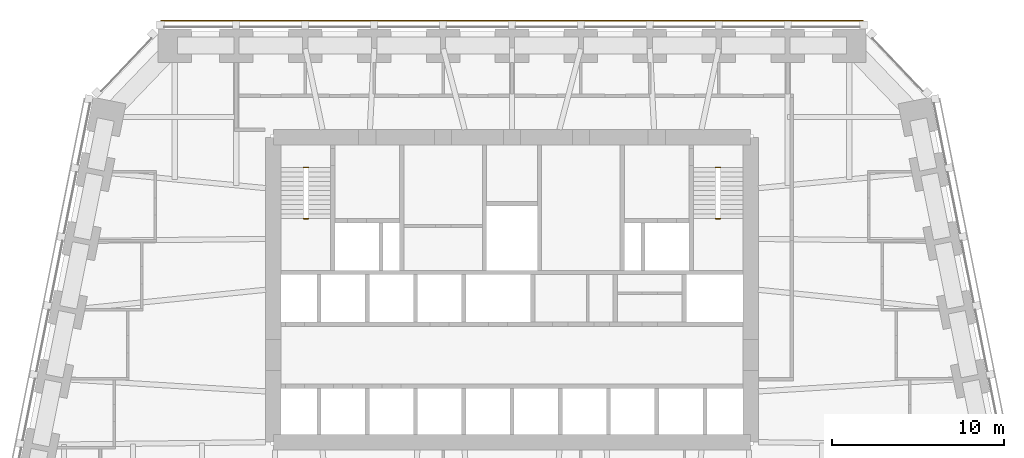
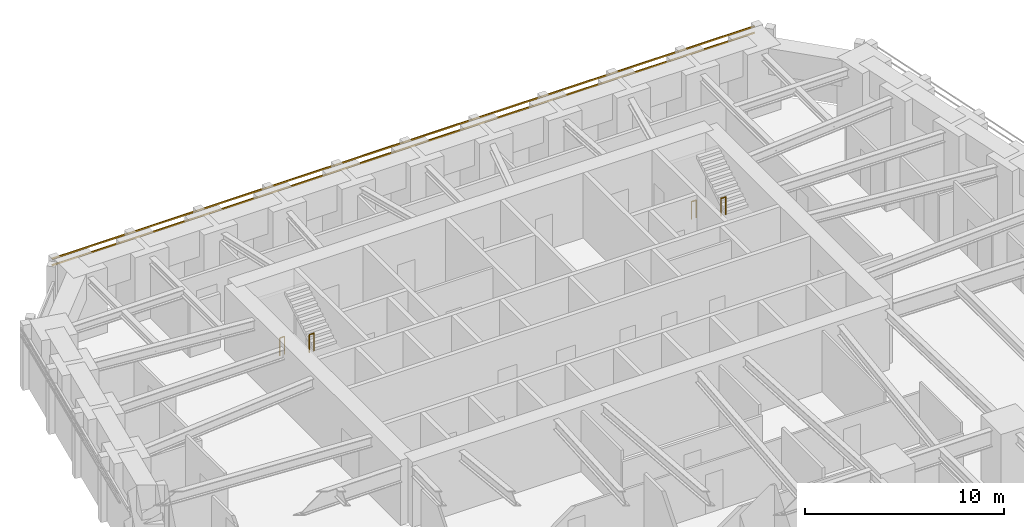
# One storey, part 10 of 10: 4 railings, 2 shading devices.
"""IFC4 building model written with IfcOpenShell, lengths in metres."""

from ifc_helpers import new_model, si_unit, direction, frame, origin, origin_2d, place, context, subcontext, project, spatial, rectangle, circle, extrude, material, material_profile, profile_set, type_object, element, save


model = new_model("IFC4")

# Units and contexts
model_context = context("Model", 3, precision=1e-05, world=origin(), true_north=direction((0.0, 1.0)))
body_context = subcontext(model_context, "Body", "Model", "MODEL_VIEW")
ifc_project = project(units=[si_unit("LENGTHUNIT", "METRE"), si_unit("AREAUNIT", "SQUARE_METRE"), si_unit("VOLUMEUNIT", "CUBIC_METRE"), si_unit("PLANEANGLEUNIT", "RADIAN"), si_unit("MASSUNIT", "GRAM", prefix="KILO")], contexts=[model_context])

# Site, building, storey
site_placement = place(None, origin())
site = spatial("IfcSite", under=ifc_project, at=site_placement, CompositionType="ELEMENT")
building_placement = place(site_placement, origin())
building = spatial("IfcBuilding", under=site, at=building_placement, Name="Isbrekke Arena Tower", CompositionType="ELEMENT")
storey_placement = place(building_placement, frame((0.0, 0.0, 88.0)))
storey = spatial("IfcBuildingStorey", under=building, at=storey_placement, Name="L19", CompositionType="ELEMENT", Elevation=88.0)

# Shading devices
ifc_material_1 = material(Name="Terracotta", Category="masonry")
ifc_material_profile = material_profile(ifc_material_1, rectangle(XDim=0.06005859375, YDim=0.06005859375, at=origin_2d()), Name="BAGUETTE 60X60")
ifc_profile_set = profile_set([ifc_material_profile], Name="Terracotta")
shading_device_type = type_object("IfcShadingDeviceType", Name="BG1 TERRACOTTA BAGUETTE 60 x 60", PredefinedType="USERDEFINED", material=ifc_profile_set)
for number, where, z_axis, x_axis, name in (
    (1, (20.39990234375, 30.6298828125, 3.280029296875), (-1.0, 0.0, 0.0), (0.0, -1.0, 0.0), "BG1 terracotta baguette N1 L19"),
    (2, (20.39990234375, 30.6298828125, 3.679931640625), (-1.0, 0.0, 0.0), (0.0, -1.0, 0.0), "BG1 terracotta baguette N2 L19"),
):
    element("IfcShadingDevice", number, at=place(storey_placement, frame(where, z_axis=z_axis, x_axis=x_axis)), inside=storey, type_object=shading_device_type, Name=name, ObjectType="TERRACOTTA BAGUETTE", PredefinedType="USERDEFINED", context=body_context, shape_type="SweptSolid", body=[
        extrude(rectangle(XDim=0.06005859375, YDim=0.06005859375, at=origin_2d()), origin(), (0.0, 0.0, 1.0), 40.7998046875),
    ])

# Railings
ifc_material_2 = material(Name="Steel stair guard, vertical bars, steel handrail", Category="steel")
railing_type = type_object("IfcRailingType", Name="GR3 STAIR WELL GUARD 1100", PredefinedType="GUARDRAIL", material=ifc_material_2)
for number, where, name in (
    (3, (-12.10009765625, 22.10009765625, 0.0), "GR3 stair well guard ST1 L19"),
    (4, (-12.10009765625, 19.1298828125, 2.0), "GR3 stair well guard ST1 L19"),
    (5, (11.824951171875, 22.10009765625, 0.0), "GR3 stair well guard ST2 L19"),
    (6, (11.824951171875, 19.1298828125, 2.0), "GR3 stair well guard ST2 L19"),
):
    element("IfcRailing", number, at=place(storey_placement, frame(where)), inside=storey, type_object=railing_type, Name=name, PredefinedType="GUARDRAIL", context=body_context, shape_type="SweptSolid", body=[
        extrude(circle(Radius=0.02392578125, at=origin_2d()), frame((0.0, 0.0, 1.076171875), z_axis=(1.0, 0.0, 0.0), x_axis=(0.0, 1.0, 0.0)), (0.0, 0.0, 1.0), 0.275146484375),
        extrude(circle(Radius=0.02099609375, at=origin_2d()), origin(), (0.0, 0.0, 1.0), 1.052001953125),
        extrude(circle(Radius=0.02099609375, at=origin_2d()), frame((0.275146484375, 0.0, 0.0)), (0.0, 0.0, 1.0), 1.052001953125),
    ])

save(model, "model.ifc")
